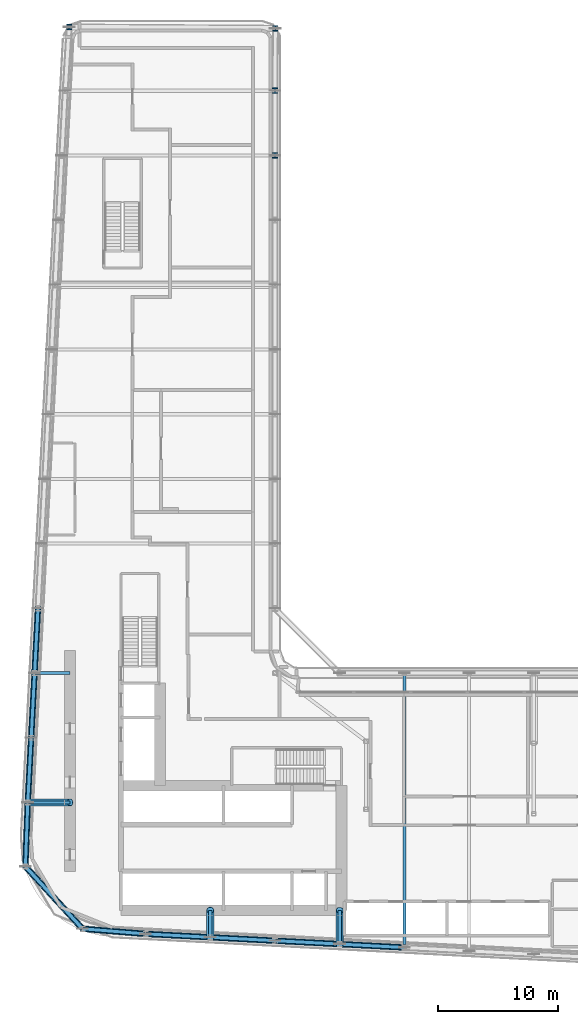
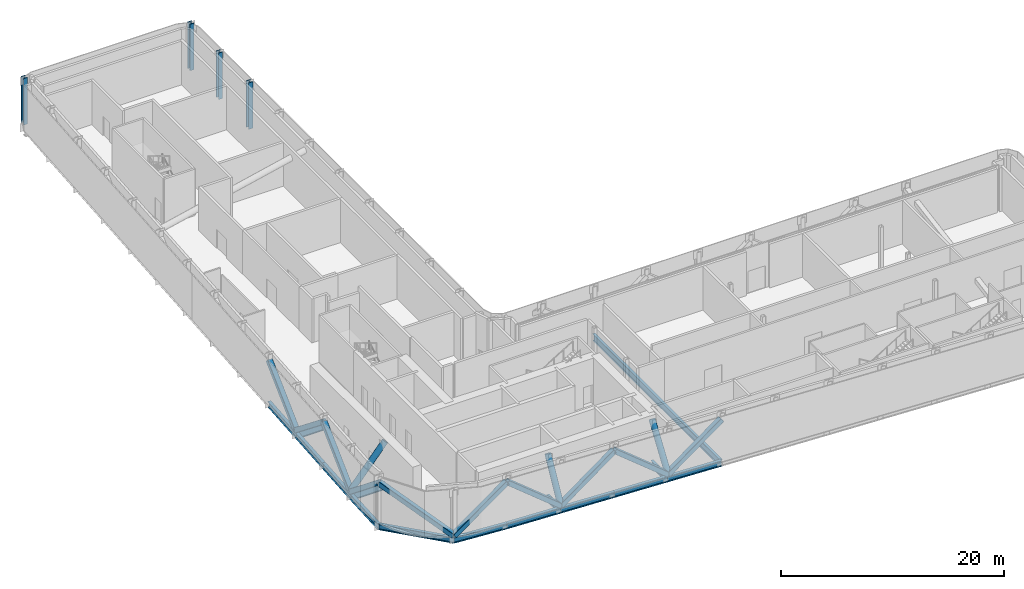
# One storey, part 4 of 30: 15 beams, 13 members, 4 columns.
"""IFC4 building model written with IfcOpenShell, lengths in metres."""

from ifc_helpers import new_model, si_unit, direction, frame, origin, origin_2d, place, context, subcontext, project, spatial, hollow_rectangle, hollow_circle, i_section, extrude, material, material_profile, profile_set, type_object, element, save


model = new_model("IFC4")

# Units and contexts
model_context = context("Model", 3, precision=1e-05, world=origin(), true_north=direction((0.0, 1.0)))
body_context = subcontext(model_context, "Body", "Model", "MODEL_VIEW")
ifc_project = project(units=[si_unit("LENGTHUNIT", "METRE"), si_unit("AREAUNIT", "SQUARE_METRE"), si_unit("VOLUMEUNIT", "CUBIC_METRE"), si_unit("PLANEANGLEUNIT", "RADIAN"), si_unit("MASSUNIT", "GRAM", prefix="KILO")], contexts=[model_context])

# Site, building, storey
site_placement = place(None, origin())
site = spatial("IfcSite", under=ifc_project, at=site_placement, CompositionType="ELEMENT")
building_placement = place(site_placement, origin())
building = spatial("IfcBuilding", under=site, at=building_placement, Name="Kheshtan School and Residences Tower", CompositionType="ELEMENT")
storey_placement = place(building_placement, frame((0.0, 0.0, 89.0)))
storey = spatial("IfcBuildingStorey", under=building, at=storey_placement, Name="L20", CompositionType="ELEMENT", Elevation=89.0)

# Columns
ifc_material_1 = material(Name="Steel ASTM A992 Grade 50", Category="steel")
ifc_material_profile_1 = material_profile(ifc_material_1, i_section(OverallWidth=0.41796875, OverallDepth=0.455078125, WebThickness=0.042236328125, FlangeThickness=0.067626953125, FilletRadius=0.013671875, at=origin_2d()), Name="W360x551")
ifc_profile_set_1 = profile_set([ifc_material_profile_1], Name="Steel ASTM A992 Grade 50")
column_type = type_object("IfcColumnType", Name="Column C2 W360x551 ASTM A992 Grade 50", PredefinedType="COLUMN", material=ifc_profile_set_1)
for number, where, z_axis, x_axis, name in (
    (1, (47.60009765625, 88.800048828125, 0.0), (0.0, 0.0, 1.0), (1.0, 0.0, 0.0), "Column C099"),
    (2, (47.60009765625, 94.199951171875, 0.0), (0.0, 0.0, 1.0), (1.0, 0.0, 0.0), "Column C107"),
    (3, (47.6298828125, 99.402099609375, 0.0), (0.0, 0.0, 1.0), (1.0, 0.0, 0.0), "Column C113"),
    (4, (30.424072265625, 99.510009765625, 0.0), (0.0, 0.0, 1.0), (1.0, 0.0, 0.0), "Column C121"),
):
    element("IfcColumn", number, at=place(storey_placement, frame(where, z_axis=z_axis, x_axis=x_axis)), inside=storey, type_object=column_type, Name=name, PredefinedType="COLUMN", context=body_context, shape_type="SweptSolid", body=[
        extrude(i_section(OverallWidth=0.41796875, OverallDepth=0.455078125, WebThickness=0.042236328125, FlangeThickness=0.067626953125, FilletRadius=0.013671875, at=origin_2d()), origin(), (0.0, 0.0, 1.0), 5.10009765625),
    ])

# Beams
ifc_material_profile_2 = material_profile(ifc_material_1, i_section(OverallWidth=0.264892578125, OverallDepth=0.7529296875, WebThickness=0.01318359375, FlangeThickness=0.01708984375, FilletRadius=0.015380859375, at=origin_2d()), Name="W760x147")
ifc_profile_set_2 = profile_set([ifc_material_profile_2], Name="Steel ASTM A992 Grade 50")
beam_type_1 = type_object("IfcBeamType", Name="Beam FB7 W760x147 ASTM A992 Grade 50", PredefinedType="BEAM", material=ifc_profile_set_2)
beam_1_placement = place(storey_placement, frame((58.39990234375, 45.60009765625, -0.526611328125), z_axis=(0.0, -1.0, 0.0), x_axis=(1.0, 0.0, 0.0)))
element("IfcBeam", 5, at=beam_1_placement, inside=storey, type_object=beam_type_1, Name="Floor beam C062", PredefinedType="BEAM", context=body_context, shape_type="SweptSolid", body=[
    extrude(i_section(OverallWidth=0.264892578125, OverallDepth=0.7529296875, WebThickness=0.01318359375, FlangeThickness=0.01708984375, FilletRadius=0.015380859375, at=origin_2d()), origin(), (0.0, 0.0, 1.0), 22.905029296875),
])
beam_2_placement = place(storey_placement, frame((53.0, 22.97998046875, -0.526611328125), z_axis=(0.0, 1.0, 0.0), x_axis=(-1.0, 0.0, 0.0)))
element("IfcBeam", 6, at=beam_2_placement, inside=storey, type_object=beam_type_1, Name="Floor beam C019", PredefinedType="BEAM", context=body_context, shape_type="SweptSolid", body=[
    extrude(i_section(OverallWidth=0.264892578125, OverallDepth=0.7529296875, WebThickness=0.01318359375, FlangeThickness=0.01708984375, FilletRadius=0.015380859375, at=origin_2d()), origin(), (0.0, 0.0, 1.0), 2.820068359375),
])
beam_3_placement = place(storey_placement, frame((42.199951171875, 23.548095703125, -0.526611328125), z_axis=(0.0, 1.0, 0.0), x_axis=(-1.0, 0.0, 0.0)))
element("IfcBeam", 7, at=beam_3_placement, inside=storey, type_object=beam_type_1, Name="Floor beam C021", PredefinedType="BEAM", context=body_context, shape_type="SweptSolid", body=[
    extrude(i_section(OverallWidth=0.264892578125, OverallDepth=0.7529296875, WebThickness=0.01318359375, FlangeThickness=0.01708984375, FilletRadius=0.015380859375, at=origin_2d()), origin(), (0.0, 0.0, 1.0), 2.251953125),
])
beam_4_placement = place(storey_placement, frame((26.968994140625, 34.800048828125, -0.526611328125), z_axis=(1.0, 0.0, 0.0), x_axis=(0.0, 1.0, 0.0)))
element("IfcBeam", 8, at=beam_4_placement, inside=storey, type_object=beam_type_1, Name="Floor beam C052", PredefinedType="BEAM", context=body_context, shape_type="SweptSolid", body=[
    extrude(i_section(OverallWidth=0.264892578125, OverallDepth=0.7529296875, WebThickness=0.01318359375, FlangeThickness=0.01708984375, FilletRadius=0.015380859375, at=origin_2d()), origin(), (0.0, 0.0, 1.0), 3.531005859375),
])
beam_5_placement = place(storey_placement, frame((27.537109375, 45.60009765625, -0.526611328125), z_axis=(1.0, 0.0, 0.0), x_axis=(0.0, 1.0, 0.0)))
element("IfcBeam", 9, at=beam_5_placement, inside=storey, type_object=beam_type_1, Name="Floor beam C059", PredefinedType="BEAM", context=body_context, shape_type="SweptSolid", body=[
    extrude(i_section(OverallWidth=0.264892578125, OverallDepth=0.7529296875, WebThickness=0.01318359375, FlangeThickness=0.01708984375, FilletRadius=0.015380859375, at=origin_2d()), origin(), (0.0, 0.0, 1.0), 2.962890625),
])
ifc_material_profile_3 = material_profile(ifc_material_1, i_section(OverallWidth=0.324951171875, OverallDepth=0.615966796875, WebThickness=0.013916015625, FlangeThickness=0.021484375, FilletRadius=0.0185546875, at=origin_2d()), Name="W610x174")
ifc_profile_set_3 = profile_set([ifc_material_profile_3], Name="Steel ASTM A992 Grade 50")
beam_type_2 = type_object("IfcBeamType", Name="Beam SP5 W610x174 ASTM A992 Grade 50", PredefinedType="BEAM", material=ifc_profile_set_3)
for number, where, z_axis, x_axis, name in (
    (10, (58.39990234375, 22.695068359375, -0.4580078125), (-0.998610961136, 0.052689166816, 0.0), (-0.052689166816, -0.998610961136, 0.0), "Spandrel beam C018-C019"),
    (11, (53.0, 22.97998046875, -0.4580078125), (-0.998620447272, 0.05250906864, 0.0), (-0.05250906864, -0.998620447272, 0.0), "Spandrel beam C019-C020"),
):
    element("IfcBeam", number, at=place(storey_placement, frame(where, z_axis=z_axis, x_axis=x_axis)), inside=storey, type_object=beam_type_2, Name=name, PredefinedType="BEAM", context=body_context, shape_type="SweptSolid", body=[
        extrude(i_section(OverallWidth=0.324951171875, OverallDepth=0.615966796875, WebThickness=0.013916015625, FlangeThickness=0.021484375, FilletRadius=0.0185546875, at=origin_2d()), origin(), (0.0, 0.0, 1.0), 5.407470703125),
    ])
beam_6_placement = place(storey_placement, frame((47.60009765625, 23.263916015625, -0.4580078125), z_axis=(-0.998618203458, 0.052551724256, 0.0), x_axis=(-0.052551724256, -0.998618203458, 0.0)))
element("IfcBeam", 12, at=beam_6_placement, inside=storey, type_object=beam_type_2, Name="Spandrel beam C020-C021", PredefinedType="BEAM", context=body_context, shape_type="SweptSolid", body=[
    extrude(i_section(OverallWidth=0.324951171875, OverallDepth=0.615966796875, WebThickness=0.013916015625, FlangeThickness=0.021484375, FilletRadius=0.0185546875, at=origin_2d()), origin(), (0.0, 0.0, 1.0), 5.40771484375),
])
beam_7_placement = place(storey_placement, frame((42.199951171875, 23.548095703125, -0.4580078125), z_axis=(-0.998620447272, 0.05250906864, 0.0), x_axis=(-0.05250906864, -0.998620447272, 0.0)))
element("IfcBeam", 13, at=beam_7_placement, inside=storey, type_object=beam_type_2, Name="Spandrel beam C021-C022", PredefinedType="BEAM", context=body_context, shape_type="SweptSolid", body=[
    extrude(i_section(OverallWidth=0.324951171875, OverallDepth=0.615966796875, WebThickness=0.013916015625, FlangeThickness=0.021484375, FilletRadius=0.0185546875, at=origin_2d()), origin(), (0.0, 0.0, 1.0), 5.407470703125),
])
beam_8_placement = place(storey_placement, frame((36.800048828125, 23.83203125, -0.4580078125), z_axis=(-0.996748565693, 0.08057479003, 0.0), x_axis=(-0.08057479003, -0.996748565693, 0.0)))
element("IfcBeam", 14, at=beam_8_placement, inside=storey, type_object=beam_type_2, Name="Spandrel beam C022-C025", PredefinedType="BEAM", context=body_context, shape_type="SweptSolid", body=[
    extrude(i_section(OverallWidth=0.324951171875, OverallDepth=0.615966796875, WebThickness=0.013916015625, FlangeThickness=0.021484375, FilletRadius=0.0185546875, at=origin_2d()), origin(), (0.0, 0.0, 1.0), 5.275146484375),
])
beam_9_placement = place(storey_placement, frame((31.5419921875, 24.257080078125, -0.4580078125), z_axis=(-0.676418406149, 0.736517576045, 0.0), x_axis=(-0.736517576045, -0.676418406149, 0.0)))
element("IfcBeam", 15, at=beam_9_placement, inside=storey, type_object=beam_type_2, Name="Spandrel beam C025-C038", PredefinedType="BEAM", context=body_context, shape_type="SweptSolid", body=[
    extrude(i_section(OverallWidth=0.324951171875, OverallDepth=0.615966796875, WebThickness=0.013916015625, FlangeThickness=0.021484375, FilletRadius=0.0185546875, at=origin_2d()), origin(), (0.0, 0.0, 1.0), 7.05615234375),
])
beam_10_placement = place(storey_placement, frame((26.76904296875, 29.4541015625, -0.4580078125), z_axis=(0.037376249491, 0.999301263871, 0.0), x_axis=(-0.999301263871, 0.037376249491, 0.0)))
element("IfcBeam", 16, at=beam_10_placement, inside=storey, type_object=beam_type_2, Name="Spandrel beam C038-C052", PredefinedType="BEAM", context=body_context, shape_type="SweptSolid", body=[
    extrude(i_section(OverallWidth=0.324951171875, OverallDepth=0.615966796875, WebThickness=0.013916015625, FlangeThickness=0.021484375, FilletRadius=0.0185546875, at=origin_2d()), origin(), (0.0, 0.0, 1.0), 5.349609375),
])
beam_11_placement = place(storey_placement, frame((26.968994140625, 34.800048828125, -0.4580078125), z_axis=(0.05250906864, 0.998620447272, 0.0), x_axis=(-0.998620447272, 0.05250906864, 0.0)))
element("IfcBeam", 17, at=beam_11_placement, inside=storey, type_object=beam_type_2, Name="Spandrel beam C052-C056", PredefinedType="BEAM", context=body_context, shape_type="SweptSolid", body=[
    extrude(i_section(OverallWidth=0.324951171875, OverallDepth=0.615966796875, WebThickness=0.013916015625, FlangeThickness=0.021484375, FilletRadius=0.0185546875, at=origin_2d()), origin(), (0.0, 0.0, 1.0), 5.407470703125),
])
beam_12_placement = place(storey_placement, frame((27.2529296875, 40.199951171875, -0.4580078125), z_axis=(0.052551724256, 0.998618203458, 0.0), x_axis=(-0.998618203458, 0.052551724256, 0.0)))
element("IfcBeam", 18, at=beam_12_placement, inside=storey, type_object=beam_type_2, Name="Spandrel beam C056-C059", PredefinedType="BEAM", context=body_context, shape_type="SweptSolid", body=[
    extrude(i_section(OverallWidth=0.324951171875, OverallDepth=0.615966796875, WebThickness=0.013916015625, FlangeThickness=0.021484375, FilletRadius=0.0185546875, at=origin_2d()), origin(), (0.0, 0.0, 1.0), 5.40771484375),
])
beam_13_placement = place(storey_placement, frame((27.537109375, 45.60009765625, -0.4580078125), z_axis=(0.052689166816, 0.998610961136, 0.0), x_axis=(-0.998610961136, 0.052689166816, 0.0)))
element("IfcBeam", 19, at=beam_13_placement, inside=storey, type_object=beam_type_2, Name="Spandrel beam C059-C078", PredefinedType="BEAM", context=body_context, shape_type="SweptSolid", body=[
    extrude(i_section(OverallWidth=0.324951171875, OverallDepth=0.615966796875, WebThickness=0.013916015625, FlangeThickness=0.021484375, FilletRadius=0.0185546875, at=origin_2d()), origin(), (0.0, 0.0, 1.0), 5.407470703125),
])

# Members
ifc_material_2 = material(Name="Steel ASTM A500 Grade C", Category="steel")
ifc_material_profile_4 = material_profile(ifc_material_2, hollow_rectangle(XDim=0.508056640625, YDim=0.508056640625, WallThickness=0.01904296875, InnerFilletRadius=0.01904296875, OuterFilletRadius=0.0380859375, at=origin_2d()), Name="HSS 508x508x19")
ifc_profile_set_4 = profile_set([ifc_material_profile_4], Name="Steel ASTM A500 Grade C")
member_type_1 = type_object("IfcMemberType", Name="Member BT2 HSS 508x508x19 ASTM A500 Grade C", PredefinedType="BRACE", material=ifc_profile_set_4)
for number, where, z_axis, x_axis, name in (
    (20, (53.0, 22.97998046875, 0.050048828125), (0.781829222106, -0.041251229867, 0.622126517274), (0.052689166816, 0.998610961136, 0.0), "Belt truss diagonal C018-C019"),
    (21, (53.0, 22.97998046875, 0.050048828125), (-0.781833774436, 0.041110076845, 0.622130139708), (-0.05250906864, -0.998620447272, 0.0), "Belt truss diagonal C019-C020"),
):
    element("IfcMember", number, at=place(storey_placement, frame(where, z_axis=z_axis, x_axis=x_axis)), inside=storey, type_object=member_type_1, Name=name, PredefinedType="BRACE", context=body_context, shape_type="SweptSolid", body=[
        extrude(hollow_rectangle(XDim=0.508056640625, YDim=0.508056640625, WallThickness=0.01904296875, InnerFilletRadius=0.01904296875, OuterFilletRadius=0.0380859375, at=origin_2d()), origin(), (0.0, 0.0, 1.0), 6.90673828125),
    ])
member_1_placement = place(storey_placement, frame((42.199951171875, 23.548095703125, 0.050048828125), z_axis=(0.781846378441, -0.041144228243, 0.622112042161), x_axis=(0.052551724256, 0.998618203458, 0.0)))
element("IfcMember", 22, at=member_1_placement, inside=storey, type_object=member_type_1, Name="Belt truss diagonal C020-C021", PredefinedType="BRACE", context=body_context, shape_type="SweptSolid", body=[
    extrude(hollow_rectangle(XDim=0.508056640625, YDim=0.508056640625, WallThickness=0.01904296875, InnerFilletRadius=0.01904296875, OuterFilletRadius=0.0380859375, at=origin_2d()), origin(), (0.0, 0.0, 1.0), 6.906982421875),
])
member_2_placement = place(storey_placement, frame((42.199951171875, 23.548095703125, 0.050048828125), z_axis=(-0.781833774436, 0.041110076845, 0.622130139708), x_axis=(-0.05250906864, -0.998620447272, 0.0)))
element("IfcMember", 23, at=member_2_placement, inside=storey, type_object=member_type_1, Name="Belt truss diagonal C021-C022", PredefinedType="BRACE", context=body_context, shape_type="SweptSolid", body=[
    extrude(hollow_rectangle(XDim=0.508056640625, YDim=0.508056640625, WallThickness=0.01904296875, InnerFilletRadius=0.01904296875, OuterFilletRadius=0.0380859375, at=origin_2d()), origin(), (0.0, 0.0, 1.0), 6.90673828125),
])
member_3_placement = place(storey_placement, frame((31.5419921875, 24.257080078125, 0.050048828125), z_axis=(0.772817881236, -0.062472764602, 0.631545466395), x_axis=(0.08057479003, 0.996748565693, 0.0)))
element("IfcMember", 24, at=member_3_placement, inside=storey, type_object=member_type_1, Name="Belt truss diagonal C022-C025", PredefinedType="BRACE", context=body_context, shape_type="SweptSolid", body=[
    extrude(hollow_rectangle(XDim=0.508056640625, YDim=0.508056640625, WallThickness=0.01904296875, InnerFilletRadius=0.01904296875, OuterFilletRadius=0.0380859375, at=origin_2d()), origin(), (0.0, 0.0, 1.0), 6.8037109375),
])
member_4_placement = place(storey_placement, frame((31.5419921875, 24.257080078125, 0.050048828125), z_axis=(-0.57773046423, 0.629061298827, 0.520105174959), x_axis=(-0.736517576045, -0.676418406149, 0.0)))
element("IfcMember", 25, at=member_4_placement, inside=storey, type_object=member_type_1, Name="Belt truss diagonal C025-C038", PredefinedType="BRACE", context=body_context, shape_type="SweptSolid", body=[
    extrude(hollow_rectangle(XDim=0.508056640625, YDim=0.508056640625, WallThickness=0.01904296875, InnerFilletRadius=0.01904296875, OuterFilletRadius=0.0380859375, at=origin_2d()), origin(), (0.0, 0.0, 1.0), 8.261474609375),
])
member_5_placement = place(storey_placement, frame((26.968994140625, 34.800048828125, 0.050048828125), z_axis=(-0.029140383905, -0.779104989452, 0.626215820174), x_axis=(0.999301263871, -0.037376249491, 0.0)))
element("IfcMember", 26, at=member_5_placement, inside=storey, type_object=member_type_1, Name="Belt truss diagonal C038-C052", PredefinedType="BRACE", context=body_context, shape_type="SweptSolid", body=[
    extrude(hollow_rectangle(XDim=0.508056640625, YDim=0.508056640625, WallThickness=0.01904296875, InnerFilletRadius=0.01904296875, OuterFilletRadius=0.0380859375, at=origin_2d()), origin(), (0.0, 0.0, 1.0), 6.861572265625),
])
member_6_placement = place(storey_placement, frame((26.968994140625, 34.800048828125, 0.050048828125), z_axis=(0.041110076845, 0.781833774436, 0.622130139708), x_axis=(-0.998620447272, 0.05250906864, 0.0)))
element("IfcMember", 27, at=member_6_placement, inside=storey, type_object=member_type_1, Name="Belt truss diagonal C052-C056", PredefinedType="BRACE", context=body_context, shape_type="SweptSolid", body=[
    extrude(hollow_rectangle(XDim=0.508056640625, YDim=0.508056640625, WallThickness=0.01904296875, InnerFilletRadius=0.01904296875, OuterFilletRadius=0.0380859375, at=origin_2d()), origin(), (0.0, 0.0, 1.0), 6.90673828125),
])
member_7_placement = place(storey_placement, frame((27.537109375, 45.60009765625, 0.050048828125), z_axis=(-0.041144228243, -0.781846378441, 0.622112042161), x_axis=(0.998618203458, -0.052551724256, 0.0)))
element("IfcMember", 28, at=member_7_placement, inside=storey, type_object=member_type_1, Name="Belt truss diagonal C056-C059", PredefinedType="BRACE", context=body_context, shape_type="SweptSolid", body=[
    extrude(hollow_rectangle(XDim=0.508056640625, YDim=0.508056640625, WallThickness=0.01904296875, InnerFilletRadius=0.01904296875, OuterFilletRadius=0.0380859375, at=origin_2d()), origin(), (0.0, 0.0, 1.0), 6.906982421875),
])
member_8_placement = place(storey_placement, frame((27.537109375, 45.60009765625, 0.050048828125), z_axis=(0.041251229867, 0.781829222106, 0.622126517274), x_axis=(-0.998610961136, 0.052689166816, 0.0)))
element("IfcMember", 29, at=member_8_placement, inside=storey, type_object=member_type_1, Name="Belt truss diagonal C059-C078", PredefinedType="BRACE", context=body_context, shape_type="SweptSolid", body=[
    extrude(hollow_rectangle(XDim=0.508056640625, YDim=0.508056640625, WallThickness=0.01904296875, InnerFilletRadius=0.01904296875, OuterFilletRadius=0.0380859375, at=origin_2d()), origin(), (0.0, 0.0, 1.0), 6.90673828125),
])
ifc_material_profile_5 = material_profile(ifc_material_2, hollow_circle(Radius=0.3046875, WallThickness=0.01904296875, at=origin_2d()), Name="HSS 610x19")
ifc_profile_set_5 = profile_set([ifc_material_profile_5], Name="Steel ASTM A500 Grade C")
member_type_2 = type_object("IfcMemberType", Name="Member OR1 HSS 610x19 ASTM A500 Grade C", PredefinedType="BRACE", material=ifc_profile_set_5)
member_9_placement = place(storey_placement, frame((53.0, 22.97998046875, 0.199951171875), z_axis=(0.0, 0.562327331671, 0.826914730825), x_axis=(-1.0, 0.0, 0.0)))
element("IfcMember", 30, at=member_9_placement, inside=storey, type_object=member_type_2, Name="Outrigger arm 1", PredefinedType="BRACE", context=body_context, shape_type="SweptSolid", body=[
    extrude(hollow_circle(Radius=0.3046875, WallThickness=0.01904296875, at=origin_2d()), origin(), (0.0, 0.0, 1.0), 5.014892578125),
])
member_10_placement = place(storey_placement, frame((26.968994140625, 34.800048828125, 0.199951171875), z_axis=(0.648296156314, 0.0, 0.761388267383), x_axis=(0.0, 1.0, 0.0)))
element("IfcMember", 31, at=member_10_placement, inside=storey, type_object=member_type_2, Name="Outrigger arm 3", PredefinedType="BRACE", context=body_context, shape_type="SweptSolid", body=[
    extrude(hollow_circle(Radius=0.3046875, WallThickness=0.01904296875, at=origin_2d()), origin(), (0.0, 0.0, 1.0), 5.446533203125),
])
member_11_placement = place(storey_placement, frame((42.199951171875, 23.548095703125, 0.199951171875), z_axis=(0.0, 0.477212880176, 0.878787725787), x_axis=(-1.0, 0.0, 0.0)))
element("IfcMember", 32, at=member_11_placement, inside=storey, type_object=member_type_2, Name="Outrigger arm 5", PredefinedType="BRACE", context=body_context, shape_type="SweptSolid", body=[
    extrude(hollow_circle(Radius=0.3046875, WallThickness=0.01904296875, at=origin_2d()), origin(), (0.0, 0.0, 1.0), 4.718994140625),
])

save(model, "model.ifc")
